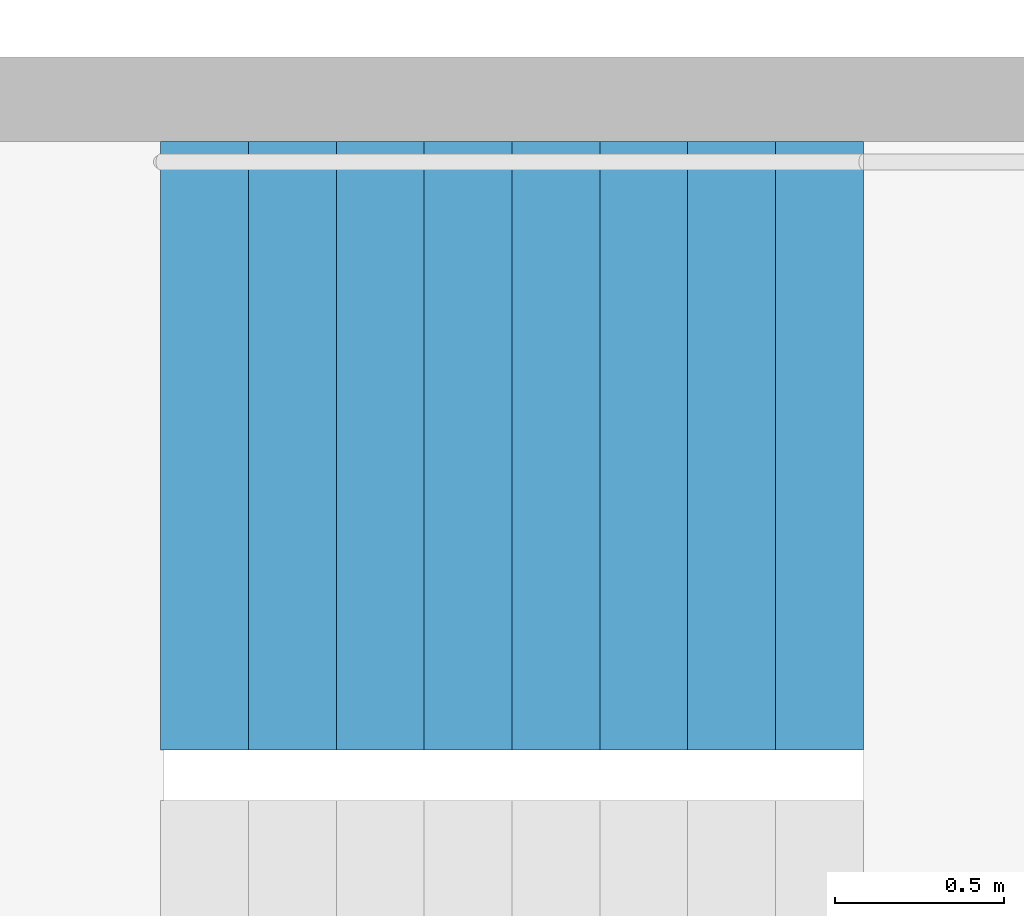
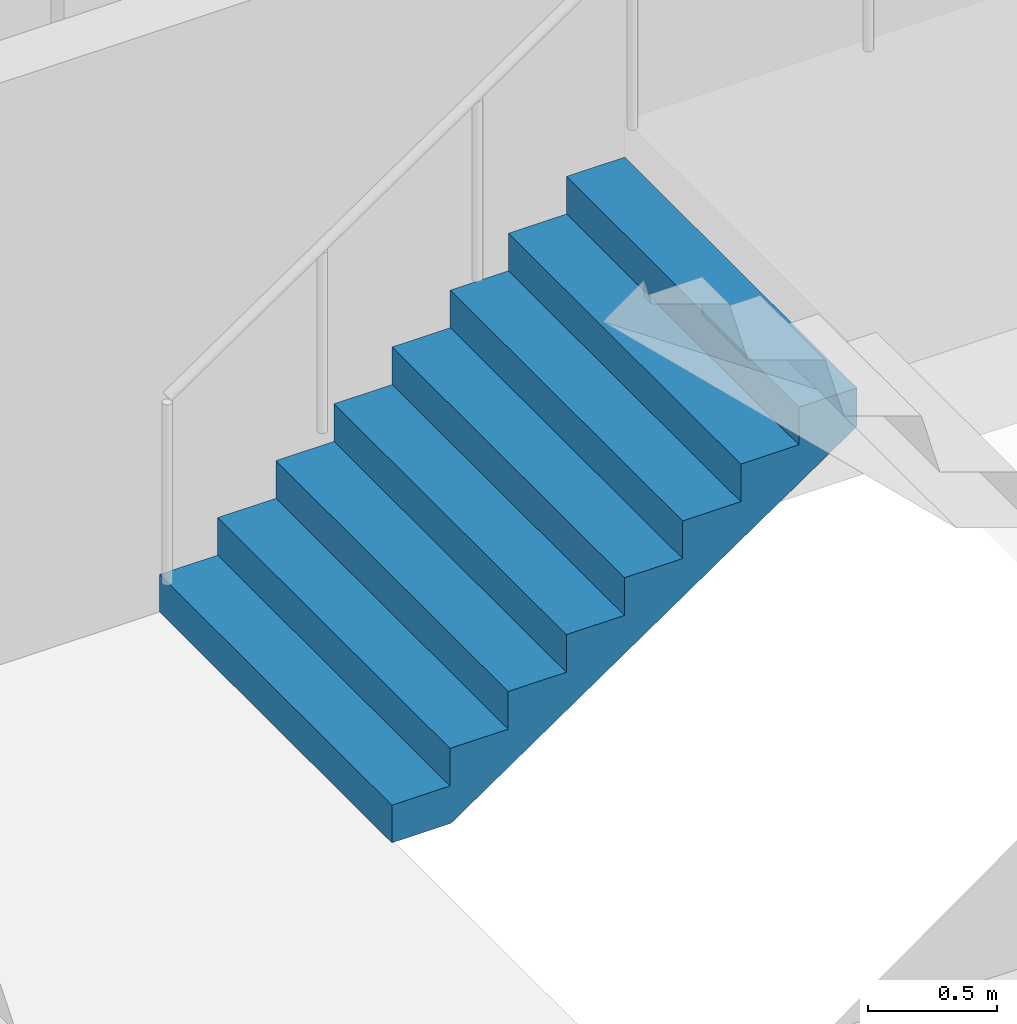
# One storey, part 23 of 26: 1 stair flight, 1 element without a shape of its own.
"""IFC4 building model written with IfcOpenShell, lengths in metres."""

from ifc_helpers import new_model, si_unit, direction, frame, origin, place, context, subcontext, project, spatial, triangles, material, type_object, element, aggregate, save


model = new_model("IFC4")

# Units and contexts
model_context = context("Model", 3, precision=1e-05, world=origin(), true_north=direction((0.0, 1.0)))
body_context = subcontext(model_context, "Body", "Model", "MODEL_VIEW")
ifc_project = project(units=[si_unit("LENGTHUNIT", "METRE"), si_unit("AREAUNIT", "SQUARE_METRE"), si_unit("VOLUMEUNIT", "CUBIC_METRE"), si_unit("PLANEANGLEUNIT", "RADIAN"), si_unit("MASSUNIT", "GRAM", prefix="KILO")], contexts=[model_context])

# Site, building, storey
site_placement = place(None, origin())
site = spatial("IfcSite", under=ifc_project, at=site_placement, CompositionType="ELEMENT")
building_placement = place(site_placement, origin())
building = spatial("IfcBuilding", under=site, at=building_placement, Name="Hakoniwa Tower and Hamabe Station Hall", CompositionType="ELEMENT")
storey_placement = place(building_placement, frame((0.0, 0.0, 169.39990234375)))
storey = spatial("IfcBuildingStorey", under=building, at=storey_placement, Name="L48", CompositionType="ELEMENT", Elevation=169.39990234375)

# Stair, stair flight
ifc_material_1 = material(Name="Concrete C40", Category="concrete")
stair_type = type_object("IfcStairType", Name="ESCAPE STAIR 1800", PredefinedType="HALF_TURN_STAIR", material=ifc_material_1)
stair_placement = place(storey_placement, origin())
stair = element("IfcStair", 1, at=stair_placement, inside=storey, type_object=stair_type, Name="Escape stair ST-4 L48", PredefinedType="HALF_TURN_STAIR")
ifc_material_2 = material(Name="Concrete C40", Category="concrete")
stair_flight_type = type_object("IfcStairFlightType", Name="STAIR FLIGHT 1800", PredefinedType="STRAIGHT", material=ifc_material_2)
stair_flight_placement = place(storey_placement, frame((23.39990234375, -4.64990234375, 0.0), z_axis=(0.0, 0.0, 1.0), x_axis=(1.0, 0.0, 0.0)))
stair_flight = element("IfcStairFlight", 2, at=stair_flight_placement, type_object=stair_flight_type, Name="ST-4 flight 1", NumberOfRisers=9, NumberOfTreads=8, PredefinedType="STRAIGHT", RiserHeight=0.177777778, TreadLength=0.26, context=body_context, shape_type="Tessellation", body=[
    triangles([(0.0, 0.89990234375, 0.0), (0.260009765625, 0.89990234375, 0.0), (0.265625, 0.89990234375, 0.0), (0.52001953125, 0.89990234375, 0.174072265625), (0.780029296875, 0.89990234375, 0.351806640625), (1.0400390625, 0.89990234375, 0.529541015625), (1.300048828125, 0.89990234375, 0.707275390625), (1.56005859375, 0.89990234375, 0.885009765625), (1.820068359375, 0.89990234375, 1.062744140625), (2.080078125, 0.89990234375, 1.24072265625), (2.080078125, 0.89990234375, 1.422119140625), (1.820068359375, 0.89990234375, 1.422119140625), (1.820068359375, 0.89990234375, 1.244384765625), (1.56005859375, 0.89990234375, 1.244384765625), (1.56005859375, 0.89990234375, 1.066650390625), (1.300048828125, 0.89990234375, 1.066650390625), (1.300048828125, 0.89990234375, 0.888916015625), (1.0400390625, 0.89990234375, 0.888916015625), (1.0400390625, 0.89990234375, 0.711181640625), (0.780029296875, 0.89990234375, 0.711181640625), (0.780029296875, 0.89990234375, 0.533447265625), (0.52001953125, 0.89990234375, 0.533447265625), (0.52001953125, 0.89990234375, 0.35546875), (0.265625, 0.89990234375, 0.35546875), (0.260009765625, 0.89990234375, 0.35546875), (0.260009765625, 0.89990234375, 0.177734375), (0.0, 0.89990234375, 0.177734375), (0.0, 0.06005859375, 0.0), (0.260009765625, 0.06005859375, 0.0), (0.265625, 0.06005859375, 0.0), (0.52001953125, 0.06005859375, 0.174072265625), (0.780029296875, 0.06005859375, 0.351806640625), (1.0400390625, 0.06005859375, 0.529541015625), (1.300048828125, 0.06005859375, 0.707275390625), (1.56005859375, 0.06005859375, 0.885009765625), (1.820068359375, 0.06005859375, 1.062744140625), (2.080078125, 0.06005859375, 1.24072265625), (2.080078125, 0.06005859375, 1.422119140625), (1.820068359375, 0.06005859375, 1.422119140625), (1.820068359375, 0.06005859375, 1.244384765625), (1.56005859375, 0.06005859375, 1.244384765625), (1.56005859375, 0.06005859375, 1.066650390625), (1.300048828125, 0.06005859375, 1.066650390625), (1.300048828125, 0.06005859375, 0.888916015625), (1.0400390625, 0.06005859375, 0.888916015625), (1.0400390625, 0.06005859375, 0.711181640625), (0.780029296875, 0.06005859375, 0.711181640625), (0.780029296875, 0.06005859375, 0.533447265625), (0.52001953125, 0.06005859375, 0.533447265625), (0.52001953125, 0.06005859375, 0.35546875), (0.265625, 0.06005859375, 0.35546875), (0.260009765625, 0.06005859375, 0.35546875), (0.260009765625, 0.06005859375, 0.177734375), (0.0, 0.06005859375, 0.177734375), (0.0, 0.04296875, 0.0), (0.260009765625, 0.04296875, 0.0), (0.265625, 0.04296875, 0.0), (0.52001953125, 0.04296875, 0.174072265625), (0.780029296875, 0.04296875, 0.351806640625), (1.0400390625, 0.04296875, 0.529541015625), (1.300048828125, 0.04296875, 0.707275390625), (1.56005859375, 0.04296875, 0.885009765625), (1.820068359375, 0.04296875, 1.062744140625), (2.080078125, 0.04296875, 1.24072265625), (2.080078125, 0.04296875, 1.422119140625), (1.820068359375, 0.04296875, 1.422119140625), (1.820068359375, 0.04296875, 1.244384765625), (1.56005859375, 0.04296875, 1.244384765625), (1.56005859375, 0.04296875, 1.066650390625), (1.300048828125, 0.04296875, 1.066650390625), (1.300048828125, 0.04296875, 0.888916015625), (1.0400390625, 0.04296875, 0.888916015625), (1.0400390625, 0.04296875, 0.711181640625), (0.780029296875, 0.04296875, 0.711181640625), (0.780029296875, 0.04296875, 0.533447265625), (0.52001953125, 0.04296875, 0.533447265625), (0.52001953125, 0.04296875, 0.35546875), (0.265625, 0.04296875, 0.35546875), (0.260009765625, 0.04296875, 0.35546875), (0.260009765625, 0.04296875, 0.177734375), (0.0, 0.04296875, 0.177734375), (0.0, 0.025634765625, 0.0), (0.260009765625, 0.025634765625, 0.0), (0.265625, 0.025634765625, 0.0), (0.52001953125, 0.025634765625, 0.174072265625), (0.780029296875, 0.025634765625, 0.351806640625), (1.0400390625, 0.025634765625, 0.529541015625), (1.300048828125, 0.025634765625, 0.707275390625), (1.56005859375, 0.025634765625, 0.885009765625), (1.820068359375, 0.025634765625, 1.062744140625), (2.080078125, 0.025634765625, 1.24072265625), (2.080078125, 0.025634765625, 1.422119140625), (1.820068359375, 0.025634765625, 1.422119140625), (1.820068359375, 0.025634765625, 1.244384765625), (1.56005859375, 0.025634765625, 1.244384765625), (1.56005859375, 0.025634765625, 1.066650390625), (1.300048828125, 0.025634765625, 1.066650390625), (1.300048828125, 0.025634765625, 0.888916015625), (1.0400390625, 0.025634765625, 0.888916015625), (1.0400390625, 0.025634765625, 0.711181640625), (0.780029296875, 0.025634765625, 0.711181640625), (0.780029296875, 0.025634765625, 0.533447265625), (0.52001953125, 0.025634765625, 0.533447265625), (0.52001953125, 0.025634765625, 0.35546875), (0.265625, 0.025634765625, 0.35546875), (0.260009765625, 0.025634765625, 0.35546875), (0.260009765625, 0.025634765625, 0.177734375), (0.0, 0.025634765625, 0.177734375), (0.0, 0.008544921875, 0.0), (0.260009765625, 0.008544921875, 0.0), (0.265625, 0.008544921875, 0.0), (0.52001953125, 0.008544921875, 0.174072265625), (0.780029296875, 0.008544921875, 0.351806640625), (1.0400390625, 0.008544921875, 0.529541015625), (1.300048828125, 0.008544921875, 0.707275390625), (1.56005859375, 0.008544921875, 0.885009765625), (1.820068359375, 0.008544921875, 1.062744140625), (2.080078125, 0.008544921875, 1.24072265625), (2.080078125, 0.008544921875, 1.422119140625), (1.820068359375, 0.008544921875, 1.422119140625), (1.820068359375, 0.008544921875, 1.244384765625), (1.56005859375, 0.008544921875, 1.244384765625), (1.56005859375, 0.008544921875, 1.066650390625), (1.300048828125, 0.008544921875, 1.066650390625), (1.300048828125, 0.008544921875, 0.888916015625), (1.0400390625, 0.008544921875, 0.888916015625), (1.0400390625, 0.008544921875, 0.711181640625), (0.780029296875, 0.008544921875, 0.711181640625), (0.780029296875, 0.008544921875, 0.533447265625), (0.52001953125, 0.008544921875, 0.533447265625), (0.52001953125, 0.008544921875, 0.35546875), (0.265625, 0.008544921875, 0.35546875), (0.260009765625, 0.008544921875, 0.35546875), (0.260009765625, 0.008544921875, 0.177734375), (0.0, 0.008544921875, 0.177734375), (0.0, -0.008544921875, 0.0), (0.260009765625, -0.008544921875, 0.0), (0.265625, -0.008544921875, 0.0), (0.52001953125, -0.008544921875, 0.174072265625), (0.780029296875, -0.008544921875, 0.351806640625), (1.0400390625, -0.008544921875, 0.529541015625), (1.300048828125, -0.008544921875, 0.707275390625), (1.56005859375, -0.008544921875, 0.885009765625), (1.820068359375, -0.008544921875, 1.062744140625), (2.080078125, -0.008544921875, 1.24072265625), (2.080078125, -0.008544921875, 1.422119140625), (1.820068359375, -0.008544921875, 1.422119140625), (1.820068359375, -0.008544921875, 1.244384765625), (1.56005859375, -0.008544921875, 1.244384765625), (1.56005859375, -0.008544921875, 1.066650390625), (1.300048828125, -0.008544921875, 1.066650390625), (1.300048828125, -0.008544921875, 0.888916015625), (1.0400390625, -0.008544921875, 0.888916015625), (1.0400390625, -0.008544921875, 0.711181640625), (0.780029296875, -0.008544921875, 0.711181640625), (0.780029296875, -0.008544921875, 0.533447265625), (0.52001953125, -0.008544921875, 0.533447265625), (0.52001953125, -0.008544921875, 0.35546875), (0.265625, -0.008544921875, 0.35546875), (0.260009765625, -0.008544921875, 0.35546875), (0.260009765625, -0.008544921875, 0.177734375), (0.0, -0.008544921875, 0.177734375), (0.0, -0.025634765625, 0.0), (0.260009765625, -0.025634765625, 0.0), (0.265625, -0.025634765625, 0.0), (0.52001953125, -0.025634765625, 0.174072265625), (0.780029296875, -0.025634765625, 0.351806640625), (1.0400390625, -0.025634765625, 0.529541015625), (1.300048828125, -0.025634765625, 0.707275390625), (1.56005859375, -0.025634765625, 0.885009765625), (1.820068359375, -0.025634765625, 1.062744140625), (2.080078125, -0.025634765625, 1.24072265625), (2.080078125, -0.025634765625, 1.422119140625), (1.820068359375, -0.025634765625, 1.422119140625), (1.820068359375, -0.025634765625, 1.244384765625), (1.56005859375, -0.025634765625, 1.244384765625), (1.56005859375, -0.025634765625, 1.066650390625), (1.300048828125, -0.025634765625, 1.066650390625), (1.300048828125, -0.025634765625, 0.888916015625), (1.0400390625, -0.025634765625, 0.888916015625), (1.0400390625, -0.025634765625, 0.711181640625), (0.780029296875, -0.025634765625, 0.711181640625), (0.780029296875, -0.025634765625, 0.533447265625), (0.52001953125, -0.025634765625, 0.533447265625), (0.52001953125, -0.025634765625, 0.35546875), (0.265625, -0.025634765625, 0.35546875), (0.260009765625, -0.025634765625, 0.35546875), (0.260009765625, -0.025634765625, 0.177734375), (0.0, -0.025634765625, 0.177734375), (0.0, -0.04296875, 0.0), (0.260009765625, -0.04296875, 0.0), (0.265625, -0.04296875, 0.0), (0.52001953125, -0.04296875, 0.174072265625), (0.780029296875, -0.04296875, 0.351806640625), (1.0400390625, -0.04296875, 0.529541015625), (1.300048828125, -0.04296875, 0.707275390625), (1.56005859375, -0.04296875, 0.885009765625), (1.820068359375, -0.04296875, 1.062744140625), (2.080078125, -0.04296875, 1.24072265625), (2.080078125, -0.04296875, 1.422119140625), (1.820068359375, -0.04296875, 1.422119140625), (1.820068359375, -0.04296875, 1.244384765625), (1.56005859375, -0.04296875, 1.244384765625), (1.56005859375, -0.04296875, 1.066650390625), (1.300048828125, -0.04296875, 1.066650390625), (1.300048828125, -0.04296875, 0.888916015625), (1.0400390625, -0.04296875, 0.888916015625), (1.0400390625, -0.04296875, 0.711181640625), (0.780029296875, -0.04296875, 0.711181640625), (0.780029296875, -0.04296875, 0.533447265625), (0.52001953125, -0.04296875, 0.533447265625), (0.52001953125, -0.04296875, 0.35546875), (0.265625, -0.04296875, 0.35546875), (0.260009765625, -0.04296875, 0.35546875), (0.260009765625, -0.04296875, 0.177734375), (0.0, -0.04296875, 0.177734375), (0.0, -0.06005859375, 0.0), (0.260009765625, -0.06005859375, 0.0), (0.265625, -0.06005859375, 0.0), (0.52001953125, -0.06005859375, 0.174072265625), (0.780029296875, -0.06005859375, 0.351806640625), (1.0400390625, -0.06005859375, 0.529541015625), (1.300048828125, -0.06005859375, 0.707275390625), (1.56005859375, -0.06005859375, 0.885009765625), (1.820068359375, -0.06005859375, 1.062744140625), (2.080078125, -0.06005859375, 1.24072265625), (2.080078125, -0.06005859375, 1.422119140625), (1.820068359375, -0.06005859375, 1.422119140625), (1.820068359375, -0.06005859375, 1.244384765625), (1.56005859375, -0.06005859375, 1.244384765625), (1.56005859375, -0.06005859375, 1.066650390625), (1.300048828125, -0.06005859375, 1.066650390625), (1.300048828125, -0.06005859375, 0.888916015625), (1.0400390625, -0.06005859375, 0.888916015625), (1.0400390625, -0.06005859375, 0.711181640625), (0.780029296875, -0.06005859375, 0.711181640625), (0.780029296875, -0.06005859375, 0.533447265625), (0.52001953125, -0.06005859375, 0.533447265625), (0.52001953125, -0.06005859375, 0.35546875), (0.265625, -0.06005859375, 0.35546875), (0.260009765625, -0.06005859375, 0.35546875), (0.260009765625, -0.06005859375, 0.177734375), (0.0, -0.06005859375, 0.177734375), (0.0, -0.89990234375, 0.0), (0.260009765625, -0.89990234375, 0.0), (0.265625, -0.89990234375, 0.0), (0.52001953125, -0.89990234375, 0.174072265625), (0.780029296875, -0.89990234375, 0.351806640625), (1.0400390625, -0.89990234375, 0.529541015625), (1.300048828125, -0.89990234375, 0.707275390625), (1.56005859375, -0.89990234375, 0.885009765625), (1.820068359375, -0.89990234375, 1.062744140625), (2.080078125, -0.89990234375, 1.24072265625), (2.080078125, -0.89990234375, 1.422119140625), (1.820068359375, -0.89990234375, 1.422119140625), (1.820068359375, -0.89990234375, 1.244384765625), (1.56005859375, -0.89990234375, 1.244384765625), (1.56005859375, -0.89990234375, 1.066650390625), (1.300048828125, -0.89990234375, 1.066650390625), (1.300048828125, -0.89990234375, 0.888916015625), (1.0400390625, -0.89990234375, 0.888916015625), (1.0400390625, -0.89990234375, 0.711181640625), (0.780029296875, -0.89990234375, 0.711181640625), (0.780029296875, -0.89990234375, 0.533447265625), (0.52001953125, -0.89990234375, 0.533447265625), (0.52001953125, -0.89990234375, 0.35546875), (0.265625, -0.89990234375, 0.35546875), (0.260009765625, -0.89990234375, 0.35546875), (0.260009765625, -0.89990234375, 0.177734375), (0.0, -0.89990234375, 0.177734375)], [[2, 27, 26], [245, 269, 270], [2, 1, 27], [245, 270, 244], [3, 25, 24], [246, 267, 268], [3, 26, 25], [246, 268, 269], [3, 2, 26], [246, 269, 245], [4, 24, 23], [247, 266, 267], [4, 3, 24], [247, 267, 246], [5, 22, 21], [248, 264, 265], [5, 23, 22], [248, 265, 266], [5, 4, 23], [248, 266, 247], [6, 20, 19], [249, 262, 263], [6, 21, 20], [249, 263, 264], [6, 5, 21], [249, 264, 248], [7, 18, 17], [250, 260, 261], [7, 19, 18], [250, 261, 262], [7, 6, 19], [250, 262, 249], [8, 16, 15], [251, 258, 259], [8, 17, 16], [251, 259, 260], [8, 7, 17], [251, 260, 250], [9, 14, 13], [252, 256, 257], [9, 15, 14], [252, 257, 258], [9, 8, 15], [252, 258, 251], [10, 12, 11], [253, 254, 255], [10, 13, 12], [253, 255, 256], [10, 9, 13], [253, 256, 252], [1, 2, 29], [1, 29, 28], [28, 29, 56], [28, 56, 55], [55, 56, 83], [55, 83, 82], [82, 83, 110], [82, 110, 109], [109, 110, 137], [109, 137, 136], [136, 137, 164], [136, 164, 163], [163, 164, 191], [163, 191, 190], [190, 191, 218], [190, 218, 217], [217, 218, 245], [217, 245, 244], [2, 3, 30], [2, 30, 29], [29, 30, 57], [29, 57, 56], [56, 57, 84], [56, 84, 83], [83, 84, 111], [83, 111, 110], [110, 111, 138], [110, 138, 137], [137, 138, 165], [137, 165, 164], [164, 165, 192], [164, 192, 191], [191, 192, 219], [191, 219, 218], [218, 219, 246], [218, 246, 245], [3, 4, 31], [3, 31, 30], [30, 31, 58], [30, 58, 57], [57, 58, 85], [57, 85, 84], [84, 85, 112], [84, 112, 111], [111, 112, 139], [111, 139, 138], [138, 139, 166], [138, 166, 165], [165, 166, 193], [165, 193, 192], [192, 193, 220], [192, 220, 219], [219, 220, 247], [219, 247, 246], [4, 5, 32], [4, 32, 31], [31, 32, 59], [31, 59, 58], [58, 59, 86], [58, 86, 85], [85, 86, 113], [85, 113, 112], [112, 113, 140], [112, 140, 139], [139, 140, 167], [139, 167, 166], [166, 167, 194], [166, 194, 193], [193, 194, 221], [193, 221, 220], [220, 221, 248], [220, 248, 247], [5, 6, 33], [5, 33, 32], [32, 33, 60], [32, 60, 59], [59, 60, 87], [59, 87, 86], [86, 87, 114], [86, 114, 113], [113, 114, 141], [113, 141, 140], [140, 141, 168], [140, 168, 167], [167, 168, 195], [167, 195, 194], [194, 195, 222], [194, 222, 221], [221, 222, 249], [221, 249, 248], [6, 7, 34], [6, 34, 33], [33, 34, 61], [33, 61, 60], [60, 61, 88], [60, 88, 87], [87, 88, 115], [87, 115, 114], [114, 115, 142], [114, 142, 141], [141, 142, 169], [141, 169, 168], [168, 169, 196], [168, 196, 195], [195, 196, 223], [195, 223, 222], [222, 223, 250], [222, 250, 249], [7, 8, 35], [7, 35, 34], [34, 35, 62], [34, 62, 61], [61, 62, 89], [61, 89, 88], [88, 89, 116], [88, 116, 115], [115, 116, 143], [115, 143, 142], [142, 143, 170], [142, 170, 169], [169, 170, 197], [169, 197, 196], [196, 197, 224], [196, 224, 223], [223, 224, 251], [223, 251, 250], [8, 9, 36], [8, 36, 35], [35, 36, 63], [35, 63, 62], [62, 63, 90], [62, 90, 89], [89, 90, 117], [89, 117, 116], [116, 117, 144], [116, 144, 143], [143, 144, 171], [143, 171, 170], [170, 171, 198], [170, 198, 197], [197, 198, 225], [197, 225, 224], [224, 225, 252], [224, 252, 251], [9, 10, 37], [9, 37, 36], [36, 37, 64], [36, 64, 63], [63, 64, 91], [63, 91, 90], [90, 91, 118], [90, 118, 117], [117, 118, 145], [117, 145, 144], [144, 145, 172], [144, 172, 171], [171, 172, 199], [171, 199, 198], [198, 199, 226], [198, 226, 225], [225, 226, 253], [225, 253, 252], [10, 11, 38], [10, 38, 37], [37, 38, 65], [37, 65, 64], [64, 65, 92], [64, 92, 91], [91, 92, 119], [91, 119, 118], [118, 119, 146], [118, 146, 145], [145, 146, 173], [145, 173, 172], [172, 173, 200], [172, 200, 199], [199, 200, 227], [199, 227, 226], [226, 227, 254], [226, 254, 253], [11, 12, 39], [11, 39, 38], [38, 39, 66], [38, 66, 65], [65, 66, 93], [65, 93, 92], [92, 93, 120], [92, 120, 119], [119, 120, 147], [119, 147, 146], [146, 147, 174], [146, 174, 173], [173, 174, 201], [173, 201, 200], [200, 201, 228], [200, 228, 227], [227, 228, 255], [227, 255, 254], [12, 13, 40], [12, 40, 39], [39, 40, 67], [39, 67, 66], [66, 67, 94], [66, 94, 93], [93, 94, 121], [93, 121, 120], [120, 121, 148], [120, 148, 147], [147, 148, 175], [147, 175, 174], [174, 175, 202], [174, 202, 201], [201, 202, 229], [201, 229, 228], [228, 229, 256], [228, 256, 255], [13, 14, 41], [13, 41, 40], [40, 41, 68], [40, 68, 67], [67, 68, 95], [67, 95, 94], [94, 95, 122], [94, 122, 121], [121, 122, 149], [121, 149, 148], [148, 149, 176], [148, 176, 175], [175, 176, 203], [175, 203, 202], [202, 203, 230], [202, 230, 229], [229, 230, 257], [229, 257, 256], [14, 15, 42], [14, 42, 41], [41, 42, 69], [41, 69, 68], [68, 69, 96], [68, 96, 95], [95, 96, 123], [95, 123, 122], [122, 123, 150], [122, 150, 149], [149, 150, 177], [149, 177, 176], [176, 177, 204], [176, 204, 203], [203, 204, 231], [203, 231, 230], [230, 231, 258], [230, 258, 257], [15, 16, 43], [15, 43, 42], [42, 43, 70], [42, 70, 69], [69, 70, 97], [69, 97, 96], [96, 97, 124], [96, 124, 123], [123, 124, 151], [123, 151, 150], [150, 151, 178], [150, 178, 177], [177, 178, 205], [177, 205, 204], [204, 205, 232], [204, 232, 231], [231, 232, 259], [231, 259, 258], [16, 17, 44], [16, 44, 43], [43, 44, 71], [43, 71, 70], [70, 71, 98], [70, 98, 97], [97, 98, 125], [97, 125, 124], [124, 125, 152], [124, 152, 151], [151, 152, 179], [151, 179, 178], [178, 179, 206], [178, 206, 205], [205, 206, 233], [205, 233, 232], [232, 233, 260], [232, 260, 259], [17, 18, 45], [17, 45, 44], [44, 45, 72], [44, 72, 71], [71, 72, 99], [71, 99, 98], [98, 99, 126], [98, 126, 125], [125, 126, 153], [125, 153, 152], [152, 153, 180], [152, 180, 179], [179, 180, 207], [179, 207, 206], [206, 207, 234], [206, 234, 233], [233, 234, 261], [233, 261, 260], [18, 19, 46], [18, 46, 45], [45, 46, 73], [45, 73, 72], [72, 73, 100], [72, 100, 99], [99, 100, 127], [99, 127, 126], [126, 127, 154], [126, 154, 153], [153, 154, 181], [153, 181, 180], [180, 181, 208], [180, 208, 207], [207, 208, 235], [207, 235, 234], [234, 235, 262], [234, 262, 261], [19, 20, 47], [19, 47, 46], [46, 47, 74], [46, 74, 73], [73, 74, 101], [73, 101, 100], [100, 101, 128], [100, 128, 127], [127, 128, 155], [127, 155, 154], [154, 155, 182], [154, 182, 181], [181, 182, 209], [181, 209, 208], [208, 209, 236], [208, 236, 235], [235, 236, 263], [235, 263, 262], [20, 21, 48], [20, 48, 47], [47, 48, 75], [47, 75, 74], [74, 75, 102], [74, 102, 101], [101, 102, 129], [101, 129, 128], [128, 129, 156], [128, 156, 155], [155, 156, 183], [155, 183, 182], [182, 183, 210], [182, 210, 209], [209, 210, 237], [209, 237, 236], [236, 237, 264], [236, 264, 263], [21, 22, 49], [21, 49, 48], [48, 49, 76], [48, 76, 75], [75, 76, 103], [75, 103, 102], [102, 103, 130], [102, 130, 129], [129, 130, 157], [129, 157, 156], [156, 157, 184], [156, 184, 183], [183, 184, 211], [183, 211, 210], [210, 211, 238], [210, 238, 237], [237, 238, 265], [237, 265, 264], [22, 23, 50], [22, 50, 49], [49, 50, 77], [49, 77, 76], [76, 77, 104], [76, 104, 103], [103, 104, 131], [103, 131, 130], [130, 131, 158], [130, 158, 157], [157, 158, 185], [157, 185, 184], [184, 185, 212], [184, 212, 211], [211, 212, 239], [211, 239, 238], [238, 239, 266], [238, 266, 265], [23, 24, 51], [23, 51, 50], [50, 51, 78], [50, 78, 77], [77, 78, 105], [77, 105, 104], [104, 105, 132], [104, 132, 131], [131, 132, 159], [131, 159, 158], [158, 159, 186], [158, 186, 185], [185, 186, 213], [185, 213, 212], [212, 213, 240], [212, 240, 239], [239, 240, 267], [239, 267, 266], [24, 25, 52], [24, 52, 51], [51, 52, 79], [51, 79, 78], [78, 79, 106], [78, 106, 105], [105, 106, 133], [105, 133, 132], [132, 133, 160], [132, 160, 159], [159, 160, 187], [159, 187, 186], [186, 187, 214], [186, 214, 213], [213, 214, 241], [213, 241, 240], [240, 241, 268], [240, 268, 267], [25, 26, 53], [25, 53, 52], [52, 53, 80], [52, 80, 79], [79, 80, 107], [79, 107, 106], [106, 107, 134], [106, 134, 133], [133, 134, 161], [133, 161, 160], [160, 161, 188], [160, 188, 187], [187, 188, 215], [187, 215, 214], [214, 215, 242], [214, 242, 241], [241, 242, 269], [241, 269, 268], [26, 27, 54], [26, 54, 53], [53, 54, 81], [53, 81, 80], [80, 81, 108], [80, 108, 107], [107, 108, 135], [107, 135, 134], [134, 135, 162], [134, 162, 161], [161, 162, 189], [161, 189, 188], [188, 189, 216], [188, 216, 215], [215, 216, 243], [215, 243, 242], [242, 243, 270], [242, 270, 269], [27, 1, 28], [27, 28, 54], [54, 28, 55], [54, 55, 81], [81, 55, 82], [81, 82, 108], [108, 82, 109], [108, 109, 135], [135, 109, 136], [135, 136, 162], [162, 136, 163], [162, 163, 189], [189, 163, 190], [189, 190, 216], [216, 190, 217], [216, 217, 243], [243, 217, 244], [243, 244, 270]], closed=True),
])
aggregate(stair, [stair_flight])

save(model, "model.ifc")
